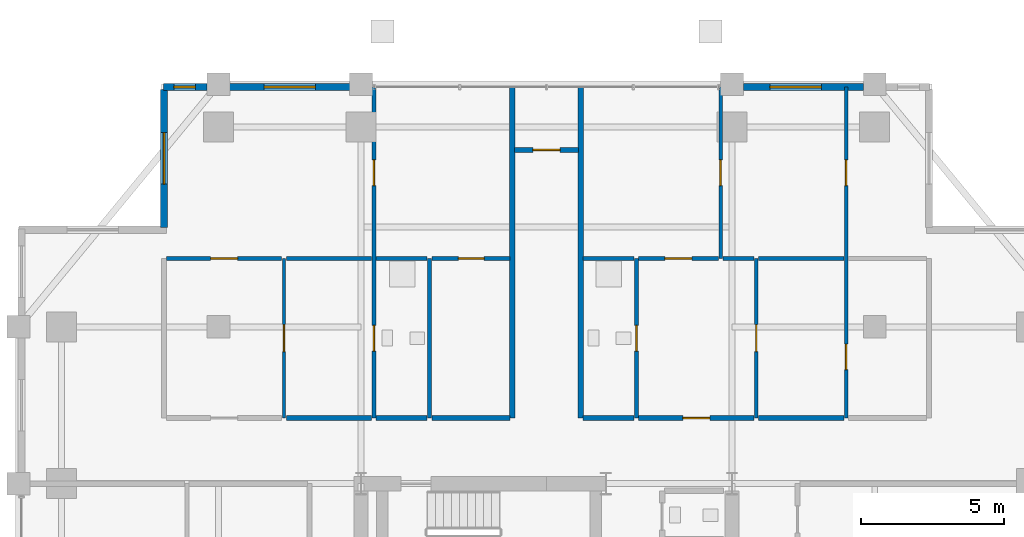
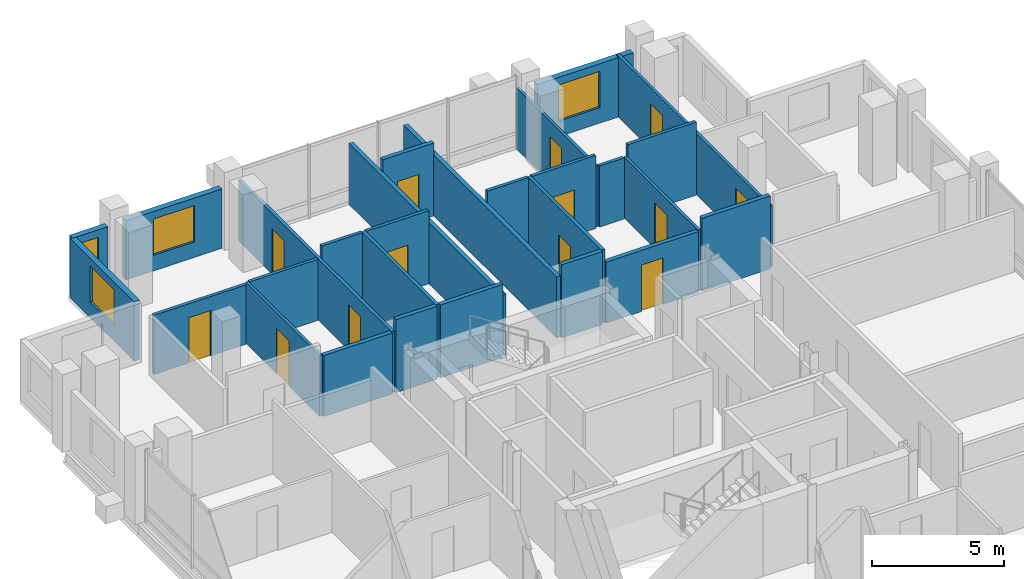
# One storey, part 21 of 24: 28 walls, 13 doors, 4 windows, 17 openings.
"""IFC4 building model written with IfcOpenShell, lengths in metres."""

from ifc_helpers import new_model, si_unit, direction, frame, frame_2d, origin, place, context, subcontext, project, spatial, rectangle, extrude, material, layer, layer_set, type_object, element, fill, save


model = new_model("IFC4")

# Units and contexts
model_context = context("Model", 3, precision=1e-05, world=origin(), true_north=direction((0.0, 1.0)))
body_context = subcontext(model_context, "Body", "Model", "MODEL_VIEW")
ifc_project = project(units=[si_unit("LENGTHUNIT", "METRE"), si_unit("AREAUNIT", "SQUARE_METRE"), si_unit("VOLUMEUNIT", "CUBIC_METRE"), si_unit("PLANEANGLEUNIT", "RADIAN"), si_unit("MASSUNIT", "GRAM", prefix="KILO")], contexts=[model_context])

# Site, building, storey
site_placement = place(None, origin())
site = spatial("IfcSite", under=ifc_project, at=site_placement, CompositionType="ELEMENT")
building_placement = place(site_placement, origin())
building = spatial("IfcBuilding", under=site, at=building_placement, Name="Barlavira Tower and Art Museum", CompositionType="ELEMENT")
storey_placement = place(building_placement, frame((0.0, 0.0, 190.800048828125)))
storey = spatial("IfcBuildingStorey", under=building, at=storey_placement, Name="L49", CompositionType="ELEMENT", Elevation=190.800048828125)

# Wall, opening, door
ifc_material_1 = material(Name="Gypsum acoustic stud partition", Category="gypsum")
ifc_layer_1 = layer(ifc_material_1, 0.1201171875, Name="Gypsum acoustic stud partition")
ifc_layer_set_1 = layer_set([ifc_layer_1], Name="Gypsum acoustic stud partition")
wall_type_1 = type_object("IfcWallType", Name="Apartment Internal Acoustic Partition 120", PredefinedType="PARTITIONING", material=ifc_layer_set_1)
wall_1_placement = place(storey_placement, frame((-9.199951171875, 9.800048828125, 0.0), z_axis=(0.0, 0.0, 1.0), x_axis=(0.0, 1.0, 0.0)))
wall_1 = element("IfcWall", 1, at=wall_1_placement, inside=storey, type_object=wall_type_1, Name="L49 Partition Wall 3", PredefinedType="PARTITIONING", context=body_context, shape_type="SweptSolid", body=[
    extrude(rectangle(XDim=5.599853515625, YDim=0.1201171875, at=frame_2d((2.7998046875, 0.0))), origin(), (0.0, 0.0, 1.0), 2.825927734375),
])
opening_1_placement = place(wall_1_placement, frame((2.324951171875, 0.0, 0.0)))
opening_1 = element("IfcOpeningElement", 2, at=opening_1_placement, cuts=wall_1, Name="Opening D-02", PredefinedType="OPENING", context=body_context, shape_type="SweptSolid", body=[
    extrude(rectangle(XDim=0.949951171875, YDim=2.10009765625, at=frame_2d((0.47509765625, 1.050048828125))), frame((0.0, 0.070068359375, 0.0), z_axis=(0.0, -1.0, 0.0), x_axis=(1.0, 0.0, 0.0)), (0.0, 0.0, 1.0), 0.14013671875),
])
ifc_material_2 = material(Name="Engineered coastal hardwood", Category="wood")
door_type_1 = type_object("IfcDoorType", Name="Living and Salon Glazed-Leaf Door 950x2100", OperationType="NOTDEFINED", PredefinedType="DOOR", material=ifc_material_2)
door_1_placement = place(opening_1_placement, origin())
door_1 = element("IfcDoor", 3, at=door_1_placement, inside=storey, type_object=door_type_1, Name="Apartment NW1 Kitchen Door", OperationType="SINGLE_SWING_RIGHT", OverallHeight=2.10009765625, OverallWidth=0.949951171875, PredefinedType="DOOR", context=body_context, shape_type="SweptSolid", body=[
    extrude(rectangle(XDim=0.949951171875, YDim=2.10009765625, at=frame_2d((0.47509765625, 1.050048828125))), frame((0.0, 0.02490234375, 0.0), z_axis=(0.0, -1.0, 0.0), x_axis=(1.0, 0.0, 0.0)), (0.0, 0.0, 1.0), 0.050048828125),
])
fill(opening_1, door_1)

wall_2_placement = place(storey_placement, frame((6.10009765625, 15.39990234375, 0.0), z_axis=(0.0, 0.0, 1.0), x_axis=(0.0, 1.0, 0.0)))
wall_2 = element("IfcWall", 4, at=wall_2_placement, inside=storey, type_object=wall_type_1, Name="L49 Partition Wall 19", PredefinedType="PARTITIONING", context=body_context, shape_type="SweptSolid", body=[
    extrude(rectangle(XDim=6.0, YDim=0.1201171875, at=frame_2d((3.0, 0.0))), origin(), (0.0, 0.0, 1.0), 2.825927734375),
])
opening_2_placement = place(wall_2_placement, frame((2.550048828125, 0.0, 0.0)))
opening_2 = element("IfcOpeningElement", 5, at=opening_2_placement, cuts=wall_2, Name="Opening D-01", PredefinedType="OPENING", context=body_context, shape_type="SweptSolid", body=[
    extrude(rectangle(XDim=0.89990234375, YDim=2.10009765625, at=frame_2d((0.449951171875, 1.050048828125))), frame((0.0, 0.070068359375, 0.0), z_axis=(0.0, -1.0, 0.0), x_axis=(1.0, 0.0, 0.0)), (0.0, 0.0, 1.0), 0.14013671875),
])
door_type_2 = type_object("IfcDoorType", Name="Internal Bedroom Timber Flush Door 900x2100", OperationType="NOTDEFINED", PredefinedType="DOOR", material=ifc_material_2)
door_2_placement = place(opening_2_placement, origin())
door_2 = element("IfcDoor", 6, at=door_2_placement, inside=storey, type_object=door_type_2, Name="Apartment NE1 Bedroom 1 Door", OperationType="SINGLE_SWING_RIGHT", OverallHeight=2.10009765625, OverallWidth=0.89990234375, PredefinedType="DOOR", context=body_context, shape_type="SweptSolid", body=[
    extrude(rectangle(XDim=0.89990234375, YDim=2.10009765625, at=frame_2d((0.449951171875, 1.050048828125))), frame((0.0, 0.02490234375, 0.0), z_axis=(0.0, -1.0, 0.0), x_axis=(1.0, 0.0, 0.0)), (0.0, 0.0, 1.0), 0.050048828125),
])
fill(opening_2, door_2)

wall_3_placement = place(storey_placement, frame((7.35009765625, 9.800048828125, 0.0), z_axis=(0.0, 0.0, 1.0), x_axis=(0.0, 1.0, 0.0)))
wall_3 = element("IfcWall", 7, at=wall_3_placement, inside=storey, type_object=wall_type_1, Name="L49 Partition Wall 21", PredefinedType="PARTITIONING", context=body_context, shape_type="SweptSolid", body=[
    extrude(rectangle(XDim=5.599853515625, YDim=0.1201171875, at=frame_2d((2.7998046875, 0.0))), origin(), (0.0, 0.0, 1.0), 2.825927734375),
])
opening_3_placement = place(wall_3_placement, frame((2.324951171875, 0.0, 0.0)))
opening_3 = element("IfcOpeningElement", 8, at=opening_3_placement, cuts=wall_3, Name="Opening D-02", PredefinedType="OPENING", context=body_context, shape_type="SweptSolid", body=[
    extrude(rectangle(XDim=0.949951171875, YDim=2.10009765625, at=frame_2d((0.47509765625, 1.050048828125))), frame((0.0, 0.070068359375, 0.0), z_axis=(0.0, -1.0, 0.0), x_axis=(1.0, 0.0, 0.0)), (0.0, 0.0, 1.0), 0.14013671875),
])
door_3_placement = place(opening_3_placement, origin())
door_3 = element("IfcDoor", 9, at=door_3_placement, inside=storey, type_object=door_type_1, Name="Apartment NE1 Kitchen Door", OperationType="SINGLE_SWING_LEFT", OverallHeight=2.10009765625, OverallWidth=0.949951171875, PredefinedType="DOOR", context=body_context, shape_type="SweptSolid", body=[
    extrude(rectangle(XDim=0.949951171875, YDim=2.10009765625, at=frame_2d((0.47509765625, 1.050048828125))), frame((0.0, 0.02490234375, 0.0), z_axis=(0.0, -1.0, 0.0), x_axis=(1.0, 0.0, 0.0)), (0.0, 0.0, 1.0), 0.050048828125),
])
fill(opening_3, door_3)

# Wall, openings, doors
wall_4_placement = place(storey_placement, frame((10.5, 9.800048828125, 0.0), z_axis=(0.0, 0.0, 1.0), x_axis=(0.0, 1.0, 0.0)))
wall_4 = element("IfcWall", 10, at=wall_4_placement, inside=storey, type_object=wall_type_1, Name="L49 Partition Wall 24", PredefinedType="PARTITIONING", context=body_context, shape_type="SweptSolid", body=[
    extrude(rectangle(XDim=11.599853515625, YDim=0.1201171875, at=frame_2d((5.7998046875, 0.0))), origin(), (0.0, 0.0, 1.0), 2.825927734375),
])
opening_4_placement = place(wall_4_placement, frame((1.694091796875, 0.0, 0.0)))
opening_4 = element("IfcOpeningElement", 11, at=opening_4_placement, cuts=wall_4, Name="Opening D-01", PredefinedType="OPENING", context=body_context, shape_type="SweptSolid", body=[
    extrude(rectangle(XDim=0.89990234375, YDim=2.10009765625, at=frame_2d((0.449951171875, 1.050048828125))), frame((0.0, 0.070068359375, 0.0), z_axis=(0.0, -1.0, 0.0), x_axis=(1.0, 0.0, 0.0)), (0.0, 0.0, 1.0), 0.14013671875),
])
opening_5_placement = place(wall_4_placement, frame((8.14990234375, 0.0, 0.0)))
opening_5 = element("IfcOpeningElement", 12, at=opening_5_placement, cuts=wall_4, Name="Opening D-01", PredefinedType="OPENING", context=body_context, shape_type="SweptSolid", body=[
    extrude(rectangle(XDim=0.89990234375, YDim=2.10009765625, at=frame_2d((0.449951171875, 1.050048828125))), frame((0.0, 0.070068359375, 0.0), z_axis=(0.0, -1.0, 0.0), x_axis=(1.0, 0.0, 0.0)), (0.0, 0.0, 1.0), 0.14013671875),
])
door_4_placement = place(opening_4_placement, origin())
door_4 = element("IfcDoor", 13, at=door_4_placement, inside=storey, type_object=door_type_2, Name="Apartment NE1 Walk-In Dressing Room Door", OperationType="SINGLE_SWING_RIGHT", OverallHeight=2.10009765625, OverallWidth=0.89990234375, PredefinedType="DOOR", context=body_context, shape_type="SweptSolid", body=[
    extrude(rectangle(XDim=0.89990234375, YDim=2.10009765625, at=frame_2d((0.449951171875, 1.050048828125))), frame((0.0, 0.02490234375, 0.0), z_axis=(0.0, -1.0, 0.0), x_axis=(1.0, 0.0, 0.0)), (0.0, 0.0, 1.0), 0.050048828125),
])
fill(opening_4, door_4)
door_5_placement = place(opening_5_placement, origin())
door_5 = element("IfcDoor", 14, at=door_5_placement, inside=storey, type_object=door_type_2, Name="Apartment NE1 Bedroom 2 Door", OperationType="SINGLE_SWING_LEFT", OverallHeight=2.10009765625, OverallWidth=0.89990234375, PredefinedType="DOOR", context=body_context, shape_type="SweptSolid", body=[
    extrude(rectangle(XDim=0.89990234375, YDim=2.10009765625, at=frame_2d((0.449951171875, 1.050048828125))), frame((0.0, 0.02490234375, 0.0), z_axis=(0.0, -1.0, 0.0), x_axis=(1.0, 0.0, 0.0)), (0.0, 0.0, 1.0), 0.050048828125),
])
fill(opening_5, door_5)

# Walls
ifc_layer_2 = layer(ifc_material_1, 0.179931640625, Name="Gypsum acoustic stud partition")
ifc_layer_set_2 = layer_set([ifc_layer_2], Name="Gypsum acoustic stud partition")
wall_type_2 = type_object("IfcWallType", Name="Inter-Tenancy Party Partition Wall 180", PredefinedType="PARTITIONING", material=ifc_layer_set_2)
for number, where, z_axis, x_axis, name in (
    (15, (-1.199951171875, 9.800048828125, 0.0), (0.0, 0.0, 1.0), (0.0, 1.0, 0.0), "L49 Partition Wall 12"),
    (16, (1.199951171875, 9.800048828125, 0.0), (0.0, 0.0, 1.0), (0.0, 1.0, 0.0), "L49 Partition Wall 14"),
):
    element("IfcWall", number, at=place(storey_placement, frame(where, z_axis=z_axis, x_axis=x_axis)), inside=storey, type_object=wall_type_2, Name=name, PredefinedType="PARTITIONING", context=body_context, shape_type="SweptSolid", body=[
        extrude(rectangle(XDim=11.599853515625, YDim=0.179931640625, at=frame_2d((5.7998046875, 0.0))), origin(), (0.0, 0.0, 1.0), 2.825927734375),
    ])
wall_5_placement = place(storey_placement, frame((-9.1201171875, 9.800048828125, 0.0), z_axis=(0.0, 0.0, 1.0), x_axis=(1.0, 0.0, 0.0)))
element("IfcWall", 17, at=wall_5_placement, inside=storey, type_object=wall_type_2, Name="L49 Partition Wall 60", PredefinedType="PARTITIONING", context=body_context, shape_type="SweptSolid", body=[
    extrude(rectangle(XDim=2.990234375, YDim=0.179931640625, at=frame_2d((1.4951171875, 0.0))), origin(), (0.0, 0.0, 1.0), 2.825927734375),
])
wall_6_placement = place(storey_placement, frame((-5.969970703125, 9.800048828125, 0.0), z_axis=(0.0, 0.0, 1.0), x_axis=(1.0, 0.0, 0.0)))
element("IfcWall", 18, at=wall_6_placement, inside=storey, type_object=wall_type_2, Name="L49 Partition Wall 61", PredefinedType="PARTITIONING", context=body_context, shape_type="SweptSolid", body=[
    extrude(rectangle(XDim=1.7900390625, YDim=0.179931640625, at=frame_2d((0.89501953125, 0.0))), origin(), (0.0, 0.0, 1.0), 3.3798828125),
])
wall_7_placement = place(storey_placement, frame((-4.02001953125, 9.800048828125, 0.0), z_axis=(0.0, 0.0, 1.0), x_axis=(1.0, 0.0, 0.0)))
element("IfcWall", 19, at=wall_7_placement, inside=storey, type_object=wall_type_2, Name="L49 Partition Wall 62", PredefinedType="PARTITIONING", context=body_context, shape_type="SweptSolid", body=[
    extrude(rectangle(XDim=2.739990234375, YDim=0.179931640625, at=frame_2d((1.3701171875, 0.0))), origin(), (0.0, 0.0, 1.0), 3.3798828125),
])
wall_8_placement = place(storey_placement, frame((1.280029296875, 9.800048828125, 0.0), z_axis=(0.0, 0.0, 1.0), x_axis=(1.0, 0.0, 0.0)))
element("IfcWall", 20, at=wall_8_placement, inside=storey, type_object=wall_type_2, Name="L49 Partition Wall 63", PredefinedType="PARTITIONING", context=body_context, shape_type="SweptSolid", body=[
    extrude(rectangle(XDim=1.7900390625, YDim=0.179931640625, at=frame_2d((0.89501953125, 0.0))), origin(), (0.0, 0.0, 1.0), 3.3798828125),
])

# Wall, opening, door
wall_9_placement = place(storey_placement, frame((3.22998046875, 9.800048828125, 0.0), z_axis=(0.0, 0.0, 1.0), x_axis=(1.0, 0.0, 0.0)))
wall_9 = element("IfcWall", 21, at=wall_9_placement, inside=storey, type_object=wall_type_2, Name="L49 Partition Wall 64", PredefinedType="PARTITIONING", context=body_context, shape_type="SweptSolid", body=[
    extrude(rectangle(XDim=4.0400390625, YDim=0.179931640625, at=frame_2d((2.02001953125, 0.0))), origin(), (0.0, 0.0, 1.0), 2.825927734375),
])
opening_6_placement = place(wall_9_placement, frame((1.544921875, 0.0, 0.0)))
opening_6 = element("IfcOpeningElement", 22, at=opening_6_placement, cuts=wall_9, Name="Opening FD-60", PredefinedType="OPENING", context=body_context, shape_type="SweptSolid", body=[
    extrude(rectangle(XDim=0.949951171875, YDim=2.14990234375, at=frame_2d((0.47509765625, 1.074951171875))), frame((0.0, 0.10009765625, 0.0), z_axis=(0.0, -1.0, 0.0), x_axis=(1.0, 0.0, 0.0)), (0.0, 0.0, 1.0), 0.199951171875),
])
ifc_material_3 = material(Name="Brushed stainless steel", Category="steel")
door_type_3 = type_object("IfcDoorType", Name="Apartment Entrance and Riser Fire Door 950x2150 FD60S", OperationType="NOTDEFINED", PredefinedType="DOOR", material=ifc_material_3)
door_6_placement = place(opening_6_placement, origin())
door_6 = element("IfcDoor", 23, at=door_6_placement, inside=storey, type_object=door_type_3, Name="Apartment Entrance Hall NE1 Door", OperationType="SINGLE_SWING_RIGHT", OverallHeight=2.14990234375, OverallWidth=0.949951171875, PredefinedType="DOOR", context=body_context, shape_type="SweptSolid", body=[
    extrude(rectangle(XDim=0.949951171875, YDim=2.14990234375, at=frame_2d((0.47509765625, 1.074951171875))), frame((0.0, 0.02490234375, 0.0), z_axis=(0.0, -1.0, 0.0), x_axis=(1.0, 0.0, 0.0)), (0.0, 0.0, 1.0), 0.050048828125),
])
fill(opening_6, door_6)

# Wall
wall_10_placement = place(storey_placement, frame((7.429931640625, 9.800048828125, 0.0), z_axis=(0.0, 0.0, 1.0), x_axis=(1.0, 0.0, 0.0)))
element("IfcWall", 24, at=wall_10_placement, inside=storey, type_object=wall_type_2, Name="L49 Partition Wall 65", PredefinedType="PARTITIONING", context=body_context, shape_type="SweptSolid", body=[
    extrude(rectangle(XDim=2.989990234375, YDim=0.179931640625, at=frame_2d((1.4951171875, 0.0))), origin(), (0.0, 0.0, 1.0), 3.3798828125),
])

# Wall, opening, door
wall_11_placement = place(storey_placement, frame((-1.1201171875, 19.199951171875, 0.0), z_axis=(0.0, 0.0, 1.0), x_axis=(1.0, 0.0, 0.0)))
wall_11 = element("IfcWall", 25, at=wall_11_placement, inside=storey, type_object=wall_type_2, Name="L49 Partition Wall 76", PredefinedType="PARTITIONING", context=body_context, shape_type="SweptSolid", body=[
    extrude(rectangle(XDim=2.240234375, YDim=0.179931640625, at=frame_2d((1.1201171875, 0.0))), origin(), (0.0, 0.0, 1.0), 3.3798828125),
])
opening_7_placement = place(wall_11_placement, frame((0.64501953125, 0.0, 0.0)))
opening_7 = element("IfcOpeningElement", 26, at=opening_7_placement, cuts=wall_11, Name="Opening FD-60", PredefinedType="OPENING", context=body_context, shape_type="SweptSolid", body=[
    extrude(rectangle(XDim=0.949951171875, YDim=2.14990234375, at=frame_2d((0.47509765625, 1.074951171875))), frame((0.0, 0.10009765625, 0.0), z_axis=(0.0, -1.0, 0.0), x_axis=(1.0, 0.0, 0.0)), (0.0, 0.0, 1.0), 0.199951171875),
])
door_7_placement = place(opening_7_placement, origin())
door_7 = element("IfcDoor", 27, at=door_7_placement, inside=storey, type_object=door_type_3, Name="L49 North Ocean Alcove Door", OperationType="SINGLE_SWING_RIGHT", OverallHeight=2.14990234375, OverallWidth=0.949951171875, PredefinedType="DOOR", context=body_context, shape_type="SweptSolid", body=[
    extrude(rectangle(XDim=0.949951171875, YDim=2.14990234375, at=frame_2d((0.47509765625, 1.074951171875))), frame((0.0, 0.02490234375, 0.0), z_axis=(0.0, -1.0, 0.0), x_axis=(1.0, 0.0, 0.0)), (0.0, 0.0, 1.0), 0.050048828125),
])
fill(opening_7, door_7)

# Wall, openings, doors
ifc_layer_3 = layer(ifc_material_1, 0.139892578125, Name="Gypsum acoustic stud partition")
ifc_layer_set_3 = layer_set([ifc_layer_3], Name="Gypsum acoustic stud partition")
wall_type_3 = type_object("IfcWallType", Name="Moisture-Resistant Bathroom Partition 140", PredefinedType="PARTITIONING", material=ifc_layer_set_3)
wall_12_placement = place(storey_placement, frame((-6.050048828125, 9.800048828125, 0.0), z_axis=(0.0, 0.0, 1.0), x_axis=(0.0, 1.0, 0.0)))
wall_12 = element("IfcWall", 28, at=wall_12_placement, inside=storey, type_object=wall_type_3, Name="L49 Partition Wall 7", PredefinedType="PARTITIONING", context=body_context, shape_type="SweptSolid", body=[
    extrude(rectangle(XDim=11.599853515625, YDim=0.139892578125, at=frame_2d((5.7998046875, 0.0))), origin(), (0.0, 0.0, 1.0), 2.825927734375),
])
opening_8_placement = place(wall_12_placement, frame((2.35009765625, 0.0, 0.0)))
opening_8 = element("IfcOpeningElement", 29, at=opening_8_placement, cuts=wall_12, Name="Opening D-WC", PredefinedType="OPENING", context=body_context, shape_type="SweptSolid", body=[
    extrude(rectangle(XDim=0.89990234375, YDim=2.10009765625, at=frame_2d((0.449951171875, 1.050048828125))), frame((0.0, 0.080078125, 0.0), z_axis=(0.0, -1.0, 0.0), x_axis=(1.0, 0.0, 0.0)), (0.0, 0.0, 1.0), 0.159912109375),
])
opening_9_placement = place(wall_12_placement, frame((8.14990234375, 0.0, 0.0)))
opening_9 = element("IfcOpeningElement", 30, at=opening_9_placement, cuts=wall_12, Name="Opening D-01", PredefinedType="OPENING", context=body_context, shape_type="SweptSolid", body=[
    extrude(rectangle(XDim=0.89990234375, YDim=2.10009765625, at=frame_2d((0.449951171875, 1.050048828125))), frame((0.0, 0.080078125, 0.0), z_axis=(0.0, -1.0, 0.0), x_axis=(1.0, 0.0, 0.0)), (0.0, 0.0, 1.0), 0.159912109375),
])
door_type_4 = type_object("IfcDoorType", Name="Accessible Bathroom Flush Door 900x2100", OperationType="NOTDEFINED", PredefinedType="DOOR", material=ifc_material_2)
door_8_placement = place(opening_8_placement, origin())
door_8 = element("IfcDoor", 31, at=door_8_placement, inside=storey, type_object=door_type_4, Name="Apartment NW1 Hall Bathroom Door", OperationType="SINGLE_SWING_LEFT", OverallHeight=2.10009765625, OverallWidth=0.89990234375, PredefinedType="DOOR", context=body_context, shape_type="SweptSolid", body=[
    extrude(rectangle(XDim=0.89990234375, YDim=2.10009765625, at=frame_2d((0.449951171875, 1.050048828125))), frame((0.0, 0.02490234375, 0.0), z_axis=(0.0, -1.0, 0.0), x_axis=(1.0, 0.0, 0.0)), (0.0, 0.0, 1.0), 0.050048828125),
])
fill(opening_8, door_8)
door_9_placement = place(opening_9_placement, origin())
door_9 = element("IfcDoor", 32, at=door_9_placement, inside=storey, type_object=door_type_2, Name="Apartment NW1 Bedroom 1 Door", OperationType="SINGLE_SWING_RIGHT", OverallHeight=2.10009765625, OverallWidth=0.89990234375, PredefinedType="DOOR", context=body_context, shape_type="SweptSolid", body=[
    extrude(rectangle(XDim=0.89990234375, YDim=2.10009765625, at=frame_2d((0.449951171875, 1.050048828125))), frame((0.0, 0.02490234375, 0.0), z_axis=(0.0, -1.0, 0.0), x_axis=(1.0, 0.0, 0.0)), (0.0, 0.0, 1.0), 0.050048828125),
])
fill(opening_9, door_9)

# Wall
wall_13_placement = place(storey_placement, frame((-4.10009765625, 9.800048828125, 0.0), z_axis=(0.0, 0.0, 1.0), x_axis=(0.0, 1.0, 0.0)))
element("IfcWall", 33, at=wall_13_placement, inside=storey, type_object=wall_type_3, Name="L49 Partition Wall 9", PredefinedType="PARTITIONING", context=body_context, shape_type="SweptSolid", body=[
    extrude(rectangle(XDim=5.599853515625, YDim=0.139892578125, at=frame_2d((2.7998046875, 0.0))), origin(), (0.0, 0.0, 1.0), 3.3798828125),
])

# Wall, opening, door
wall_14_placement = place(storey_placement, frame((3.14990234375, 9.800048828125, 0.0), z_axis=(0.0, 0.0, 1.0), x_axis=(0.0, 1.0, 0.0)))
wall_14 = element("IfcWall", 34, at=wall_14_placement, inside=storey, type_object=wall_type_3, Name="L49 Partition Wall 16", PredefinedType="PARTITIONING", context=body_context, shape_type="SweptSolid", body=[
    extrude(rectangle(XDim=5.599853515625, YDim=0.139892578125, at=frame_2d((2.7998046875, 0.0))), origin(), (0.0, 0.0, 1.0), 3.3798828125),
])
opening_10_placement = place(wall_14_placement, frame((2.35009765625, 0.0, 0.0)))
opening_10 = element("IfcOpeningElement", 35, at=opening_10_placement, cuts=wall_14, Name="Opening D-WC", PredefinedType="OPENING", context=body_context, shape_type="SweptSolid", body=[
    extrude(rectangle(XDim=0.89990234375, YDim=2.10009765625, at=frame_2d((0.449951171875, 1.050048828125))), frame((0.0, 0.080078125, 0.0), z_axis=(0.0, -1.0, 0.0), x_axis=(1.0, 0.0, 0.0)), (0.0, 0.0, 1.0), 0.159912109375),
])
door_10_placement = place(opening_10_placement, origin())
door_10 = element("IfcDoor", 36, at=door_10_placement, inside=storey, type_object=door_type_4, Name="Apartment NE1 Hall Bathroom Door", OperationType="SINGLE_SWING_LEFT", OverallHeight=2.10009765625, OverallWidth=0.89990234375, PredefinedType="DOOR", context=body_context, shape_type="SweptSolid", body=[
    extrude(rectangle(XDim=0.89990234375, YDim=2.10009765625, at=frame_2d((0.449951171875, 1.050048828125))), frame((0.0, 0.02490234375, 0.0), z_axis=(0.0, -1.0, 0.0), x_axis=(1.0, 0.0, 0.0)), (0.0, 0.0, 1.0), 0.050048828125),
])
fill(opening_10, door_10)

wall_15_placement = place(storey_placement, frame((-13.320068359375, 15.39990234375, 0.0), z_axis=(0.0, 0.0, 1.0), x_axis=(1.0, 0.0, 0.0)))
wall_15 = element("IfcWall", 37, at=wall_15_placement, inside=storey, type_object=wall_type_3, Name="L49 Partition Wall 67", PredefinedType="PARTITIONING", context=body_context, shape_type="SweptSolid", body=[
    extrude(rectangle(XDim=4.0400390625, YDim=0.139892578125, at=frame_2d((2.02001953125, 0.0))), origin(), (0.0, 0.0, 1.0), 2.748046875),
])
opening_11_placement = place(wall_15_placement, frame((1.544921875, 0.0, 0.0)))
opening_11 = element("IfcOpeningElement", 38, at=opening_11_placement, cuts=wall_15, Name="Opening D-02", PredefinedType="OPENING", context=body_context, shape_type="SweptSolid", body=[
    extrude(rectangle(XDim=0.949951171875, YDim=2.10009765625, at=frame_2d((0.47509765625, 1.050048828125))), frame((0.0, 0.080078125, 0.0), z_axis=(0.0, -1.0, 0.0), x_axis=(1.0, 0.0, 0.0)), (0.0, 0.0, 1.0), 0.159912109375),
])
door_11_placement = place(opening_11_placement, origin())
door_11 = element("IfcDoor", 39, at=door_11_placement, inside=storey, type_object=door_type_1, Name="Apartment NW1 Living Lounge Door", OperationType="SINGLE_SWING_LEFT", OverallHeight=2.10009765625, OverallWidth=0.949951171875, PredefinedType="DOOR", context=body_context, shape_type="SweptSolid", body=[
    extrude(rectangle(XDim=0.949951171875, YDim=2.10009765625, at=frame_2d((0.47509765625, 1.050048828125))), frame((0.0, 0.02490234375, 0.0), z_axis=(0.0, -1.0, 0.0), x_axis=(1.0, 0.0, 0.0)), (0.0, 0.0, 1.0), 0.050048828125),
])
fill(opening_11, door_11)

# Walls
wall_16_placement = place(storey_placement, frame((-9.1201171875, 15.39990234375, 0.0), z_axis=(0.0, 0.0, 1.0), x_axis=(1.0, 0.0, 0.0)))
element("IfcWall", 40, at=wall_16_placement, inside=storey, type_object=wall_type_3, Name="L49 Partition Wall 68", PredefinedType="PARTITIONING", context=body_context, shape_type="SweptSolid", body=[
    extrude(rectangle(XDim=2.990234375, YDim=0.139892578125, at=frame_2d((1.4951171875, 0.0))), origin(), (0.0, 0.0, 1.0), 2.825927734375),
])
wall_17_placement = place(storey_placement, frame((-5.969970703125, 15.39990234375, 0.0), z_axis=(0.0, 0.0, 1.0), x_axis=(1.0, 0.0, 0.0)))
element("IfcWall", 41, at=wall_17_placement, inside=storey, type_object=wall_type_3, Name="L49 Partition Wall 69", PredefinedType="PARTITIONING", context=body_context, shape_type="SweptSolid", body=[
    extrude(rectangle(XDim=1.7900390625, YDim=0.139892578125, at=frame_2d((0.89501953125, 0.0))), origin(), (0.0, 0.0, 1.0), 3.3798828125),
])

# Wall, opening, door
wall_18_placement = place(storey_placement, frame((-4.02001953125, 15.39990234375, 0.0), z_axis=(0.0, 0.0, 1.0), x_axis=(1.0, 0.0, 0.0)))
wall_18 = element("IfcWall", 42, at=wall_18_placement, inside=storey, type_object=wall_type_3, Name="L49 Partition Wall 70", PredefinedType="PARTITIONING", context=body_context, shape_type="SweptSolid", body=[
    extrude(rectangle(XDim=2.739990234375, YDim=0.139892578125, at=frame_2d((1.3701171875, 0.0))), origin(), (0.0, 0.0, 1.0), 3.3798828125),
])
opening_12_placement = place(wall_18_placement, frame((0.929931640625, 0.0, 0.0)))
opening_12 = element("IfcOpeningElement", 43, at=opening_12_placement, cuts=wall_18, Name="Opening D-01", PredefinedType="OPENING", context=body_context, shape_type="SweptSolid", body=[
    extrude(rectangle(XDim=0.89990234375, YDim=2.10009765625, at=frame_2d((0.449951171875, 1.050048828125))), frame((0.0, 0.080078125, 0.0), z_axis=(0.0, -1.0, 0.0), x_axis=(1.0, 0.0, 0.0)), (0.0, 0.0, 1.0), 0.159912109375),
])
door_12_placement = place(opening_12_placement, origin())
door_12 = element("IfcDoor", 44, at=door_12_placement, inside=storey, type_object=door_type_2, Name="Apartment NW1 Walk-In Dressing Room Door", OperationType="SINGLE_SWING_RIGHT", OverallHeight=2.10009765625, OverallWidth=0.89990234375, PredefinedType="DOOR", context=body_context, shape_type="SweptSolid", body=[
    extrude(rectangle(XDim=0.89990234375, YDim=2.10009765625, at=frame_2d((0.449951171875, 1.050048828125))), frame((0.0, 0.02490234375, 0.0), z_axis=(0.0, -1.0, 0.0), x_axis=(1.0, 0.0, 0.0)), (0.0, 0.0, 1.0), 0.050048828125),
])
fill(opening_12, door_12)

# Wall
wall_19_placement = place(storey_placement, frame((1.280029296875, 15.39990234375, 0.0), z_axis=(0.0, 0.0, 1.0), x_axis=(1.0, 0.0, 0.0)))
element("IfcWall", 45, at=wall_19_placement, inside=storey, type_object=wall_type_3, Name="L49 Partition Wall 71", PredefinedType="PARTITIONING", context=body_context, shape_type="SweptSolid", body=[
    extrude(rectangle(XDim=1.7900390625, YDim=0.139892578125, at=frame_2d((0.89501953125, 0.0))), origin(), (0.0, 0.0, 1.0), 3.3798828125),
])

# Wall, opening, door
wall_20_placement = place(storey_placement, frame((3.22998046875, 15.39990234375, 0.0), z_axis=(0.0, 0.0, 1.0), x_axis=(1.0, 0.0, 0.0)))
wall_20 = element("IfcWall", 46, at=wall_20_placement, inside=storey, type_object=wall_type_3, Name="L49 Partition Wall 72", PredefinedType="PARTITIONING", context=body_context, shape_type="SweptSolid", body=[
    extrude(rectangle(XDim=2.7900390625, YDim=0.139892578125, at=frame_2d((1.39501953125, 0.0))), origin(), (0.0, 0.0, 1.0), 3.3798828125),
])
opening_13_placement = place(wall_20_placement, frame((0.9150390625, 0.0, 0.0)))
opening_13 = element("IfcOpeningElement", 47, at=opening_13_placement, cuts=wall_20, Name="Opening D-02", PredefinedType="OPENING", context=body_context, shape_type="SweptSolid", body=[
    extrude(rectangle(XDim=0.949951171875, YDim=2.10009765625, at=frame_2d((0.47509765625, 1.050048828125))), frame((0.0, 0.080078125, 0.0), z_axis=(0.0, -1.0, 0.0), x_axis=(1.0, 0.0, 0.0)), (0.0, 0.0, 1.0), 0.159912109375),
])
door_13_placement = place(opening_13_placement, origin())
door_13 = element("IfcDoor", 48, at=door_13_placement, inside=storey, type_object=door_type_1, Name="Apartment NE1 Living Lounge Door", OperationType="SINGLE_SWING_LEFT", OverallHeight=2.10009765625, OverallWidth=0.949951171875, PredefinedType="DOOR", context=body_context, shape_type="SweptSolid", body=[
    extrude(rectangle(XDim=0.949951171875, YDim=2.10009765625, at=frame_2d((0.47509765625, 1.050048828125))), frame((0.0, 0.02490234375, 0.0), z_axis=(0.0, -1.0, 0.0), x_axis=(1.0, 0.0, 0.0)), (0.0, 0.0, 1.0), 0.050048828125),
])
fill(opening_13, door_13)

# Walls
wall_21_placement = place(storey_placement, frame((6.179931640625, 15.39990234375, 0.0), z_axis=(0.0, 0.0, 1.0), x_axis=(1.0, 0.0, 0.0)))
element("IfcWall", 49, at=wall_21_placement, inside=storey, type_object=wall_type_3, Name="L49 Partition Wall 73", PredefinedType="PARTITIONING", context=body_context, shape_type="SweptSolid", body=[
    extrude(rectangle(XDim=1.090087890625, YDim=0.139892578125, at=frame_2d((0.544921875, 0.0))), origin(), (0.0, 0.0, 1.0), 2.825927734375),
])
wall_22_placement = place(storey_placement, frame((7.429931640625, 15.39990234375, 0.0), z_axis=(0.0, 0.0, 1.0), x_axis=(1.0, 0.0, 0.0)))
element("IfcWall", 50, at=wall_22_placement, inside=storey, type_object=wall_type_3, Name="L49 Partition Wall 74", PredefinedType="PARTITIONING", context=body_context, shape_type="SweptSolid", body=[
    extrude(rectangle(XDim=2.989990234375, YDim=0.139892578125, at=frame_2d((1.4951171875, 0.0))), origin(), (0.0, 0.0, 1.0), 3.3798828125),
])

# Wall, opening, window
ifc_material_4 = material(Name="Precast concrete C40", Category="concrete")
ifc_layer_4 = layer(ifc_material_4, 0.25, Name="Precast concrete C40")
ifc_layer_set_4 = layer_set([ifc_layer_4], Name="Precast concrete C40")
wall_type_4 = type_object("IfcWallType", Name="Notched Corner Spandrel Wall 250 Precast Concrete C40", PredefinedType="SOLIDWALL", material=ifc_layer_set_4)
wall_23_placement = place(storey_placement, frame((11.10498046875, 21.39990234375, 0.0), z_axis=(0.0, 0.0, 1.0), x_axis=(-1.0, 0.0, 0.0)))
wall_23 = element("IfcWall", 51, at=wall_23_placement, inside=storey, type_object=wall_type_4, Name="L49 Coastal Facade Pier Wall CW3-L49-N-2", PredefinedType="SOLIDWALL", context=body_context, shape_type="SweptSolid", body=[
    extrude(rectangle(XDim=4.2099609375, YDim=0.25, at=frame_2d((2.10498046875, 0.0))), origin(), (0.0, 0.0, 1.0), 2.748046875),
])
opening_14_placement = place(wall_23_placement, frame((1.47509765625, 0.0, 0.719970703125)))
opening_14 = element("IfcOpeningElement", 52, at=opening_14_placement, cuts=wall_23, Name="Opening WN-01", PredefinedType="OPENING", context=body_context, shape_type="SweptSolid", body=[
    extrude(rectangle(XDim=1.800048828125, YDim=1.679931640625, at=frame_2d((0.89990234375, 0.83984375))), frame((0.0, 0.135009765625, 0.0), z_axis=(0.0, -1.0, 0.0), x_axis=(1.0, 0.0, 0.0)), (0.0, 0.0, 1.0), 0.27001953125),
])
ifc_material_5 = material(Name="Low-iron coastal laminated glass", Category="glass")
window_type_1 = type_object("IfcWindowType", Name="Recessed Notch Corner Punch Window 1800x1680", PartitioningType="SINGLE_PANEL", PredefinedType="WINDOW", material=ifc_material_5)
window_1_placement = place(opening_14_placement, origin())
window_1 = element("IfcWindow", 53, at=window_1_placement, inside=storey, type_object=window_type_1, Name="L49 Punched Facade Window EWP-CW3-L49-N-2-1", OverallHeight=1.679931640625, OverallWidth=1.800048828125, PartitioningType="SINGLE_PANEL", PredefinedType="WINDOW", context=body_context, shape_type="SweptSolid", body=[
    extrude(rectangle(XDim=1.800048828125, YDim=1.679931640625, at=frame_2d((0.89990234375, 0.83984375))), frame((0.0, 0.030029296875, 0.0), z_axis=(0.0, -1.0, 0.0), x_axis=(1.0, 0.0, 0.0)), (0.0, 0.0, 1.0), 0.06005859375),
])
fill(opening_14, window_1)

wall_24_placement = place(storey_placement, frame((-6.89501953125, 21.39990234375, 0.0), z_axis=(0.0, 0.0, 1.0), x_axis=(-1.0, 0.0, 0.0)))
wall_24 = element("IfcWall", 54, at=wall_24_placement, inside=storey, type_object=wall_type_4, Name="L49 Coastal Facade Pier Wall CW3-L49-N-4", PredefinedType="SOLIDWALL", context=body_context, shape_type="SweptSolid", body=[
    extrude(rectangle(XDim=4.2099609375, YDim=0.25, at=frame_2d((2.10498046875, 0.0))), origin(), (0.0, 0.0, 1.0), 2.748046875),
])
opening_15_placement = place(wall_24_placement, frame((1.205078125, 0.0, 0.719970703125)))
opening_15 = element("IfcOpeningElement", 55, at=opening_15_placement, cuts=wall_24, Name="Opening WN-01", PredefinedType="OPENING", context=body_context, shape_type="SweptSolid", body=[
    extrude(rectangle(XDim=1.800048828125, YDim=1.679931640625, at=frame_2d((0.89990234375, 0.83984375))), frame((0.0, 0.135009765625, 0.0), z_axis=(0.0, -1.0, 0.0), x_axis=(1.0, 0.0, 0.0)), (0.0, 0.0, 1.0), 0.27001953125),
])
window_2_placement = place(opening_15_placement, origin())
window_2 = element("IfcWindow", 56, at=window_2_placement, inside=storey, type_object=window_type_1, Name="L49 Punched Facade Window EWP-CW3-L49-N-4-1", OverallHeight=1.679931640625, OverallWidth=1.800048828125, PartitioningType="SINGLE_PANEL", PredefinedType="WINDOW", context=body_context, shape_type="SweptSolid", body=[
    extrude(rectangle(XDim=1.800048828125, YDim=1.679931640625, at=frame_2d((0.89990234375, 0.83984375))), frame((0.0, 0.030029296875, 0.0), z_axis=(0.0, -1.0, 0.0), x_axis=(1.0, 0.0, 0.0)), (0.0, 0.0, 1.0), 0.06005859375),
])
fill(opening_15, window_2)

wall_25_placement = place(storey_placement, frame((-11.89501953125, 21.39990234375, 0.0), z_axis=(0.0, 0.0, 1.0), x_axis=(-1.0, 0.0, 0.0)))
wall_25 = element("IfcWall", 57, at=wall_25_placement, inside=storey, type_object=wall_type_4, Name="L49 Coastal Facade Pier Wall CW3-L49-N-5", PredefinedType="SOLIDWALL", context=body_context, shape_type="SweptSolid", body=[
    extrude(rectangle(XDim=1.530029296875, YDim=0.25, at=frame_2d((0.76513671875, 0.0))), origin(), (0.0, 0.0, 1.0), 2.748046875),
])
opening_16_placement = place(wall_25_placement, frame((0.407958984375, 0.0, 0.719970703125)))
opening_16 = element("IfcOpeningElement", 58, at=opening_16_placement, cuts=wall_25, Name="Opening WN-06", PredefinedType="OPENING", context=body_context, shape_type="SweptSolid", body=[
    extrude(rectangle(XDim=0.760009765625, YDim=1.679931640625, at=frame_2d((0.3798828125, 0.83984375))), frame((0.0, 0.135009765625, 0.0), z_axis=(0.0, -1.0, 0.0), x_axis=(1.0, 0.0, 0.0)), (0.0, 0.0, 1.0), 0.27001953125),
])
window_type_2 = type_object("IfcWindowType", Name="Recessed Narrow Pier Window 760x1680", PartitioningType="SINGLE_PANEL", PredefinedType="WINDOW", material=ifc_material_5)
window_3_placement = place(opening_16_placement, origin())
window_3 = element("IfcWindow", 59, at=window_3_placement, inside=storey, type_object=window_type_2, Name="L49 Punched Facade Window EWP-CW3-L49-N-5-1", OverallHeight=1.679931640625, OverallWidth=0.760009765625, PartitioningType="SINGLE_PANEL", PredefinedType="WINDOW", context=body_context, shape_type="SweptSolid", body=[
    extrude(rectangle(XDim=0.760009765625, YDim=1.679931640625, at=frame_2d((0.3798828125, 0.83984375))), frame((0.0, 0.030029296875, 0.0), z_axis=(0.0, -1.0, 0.0), x_axis=(1.0, 0.0, 0.0)), (0.0, 0.0, 1.0), 0.06005859375),
])
fill(opening_16, window_3)

wall_26_placement = place(storey_placement, frame((-13.39990234375, 21.320068359375, 0.0), z_axis=(0.0, 0.0, 1.0), x_axis=(0.0, -1.0, 0.0)))
wall_26 = element("IfcWall", 60, at=wall_26_placement, inside=storey, type_object=wall_type_4, Name="L49 Notch Corner Wall NW1", PredefinedType="SOLIDWALL", context=body_context, shape_type="SweptSolid", body=[
    extrude(rectangle(XDim=4.840087890625, YDim=0.25, at=frame_2d((2.419921875, 0.0))), origin(), (0.0, 0.0, 1.0), 2.748046875),
])
opening_17_placement = place(wall_26_placement, frame((1.52001953125, 0.0, 0.719970703125)))
opening_17 = element("IfcOpeningElement", 61, at=opening_17_placement, cuts=wall_26, Name="Opening WN-01", PredefinedType="OPENING", context=body_context, shape_type="SweptSolid", body=[
    extrude(rectangle(XDim=1.800048828125, YDim=1.679931640625, at=frame_2d((0.89990234375, 0.83984375))), frame((0.0, 0.135009765625, 0.0), z_axis=(0.0, -1.0, 0.0), x_axis=(1.0, 0.0, 0.0)), (0.0, 0.0, 1.0), 0.27001953125),
])
window_4_placement = place(opening_17_placement, origin())
window_4 = element("IfcWindow", 62, at=window_4_placement, inside=storey, type_object=window_type_1, Name="L49 Punched Facade Window EW-NTC-L49-NW1-1", OverallHeight=1.679931640625, OverallWidth=1.800048828125, PartitioningType="SINGLE_PANEL", PredefinedType="WINDOW", context=body_context, shape_type="SweptSolid", body=[
    extrude(rectangle(XDim=1.800048828125, YDim=1.679931640625, at=frame_2d((0.89990234375, 0.83984375))), frame((0.0, 0.030029296875, 0.0), z_axis=(0.0, -1.0, 0.0), x_axis=(1.0, 0.0, 0.0)), (0.0, 0.0, 1.0), 0.06005859375),
])
fill(opening_17, window_4)

save(model, "model.ifc")
